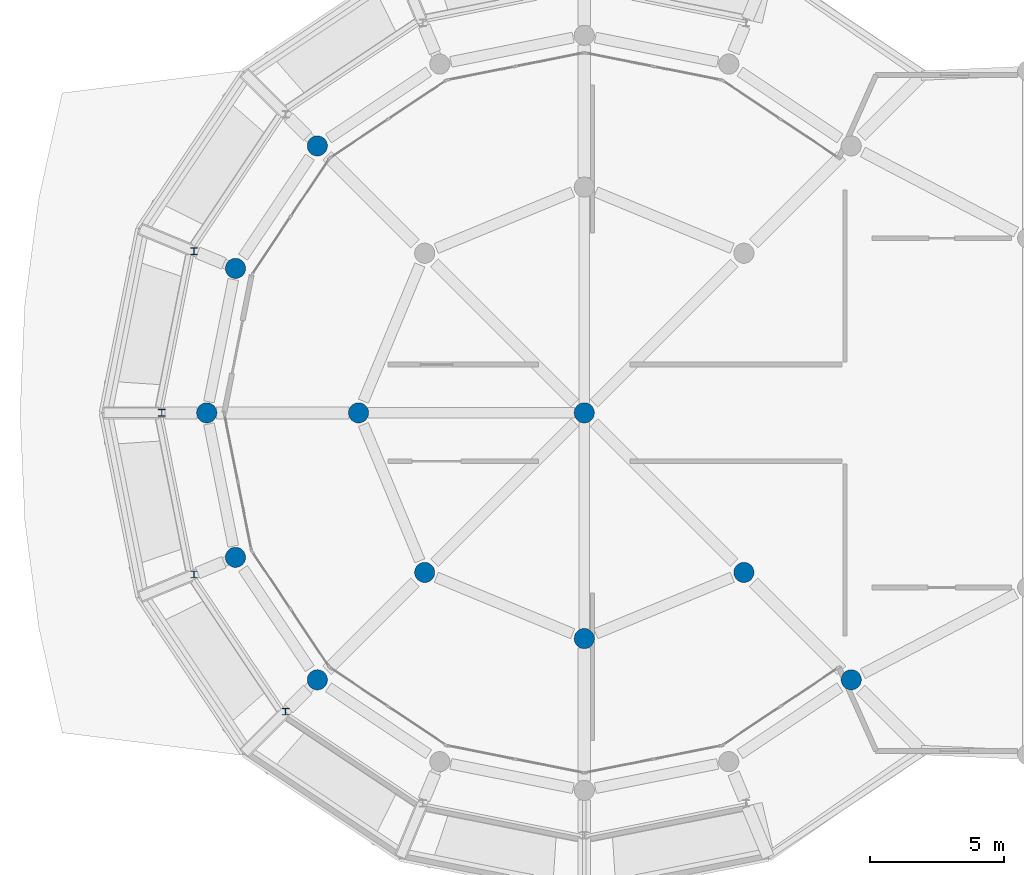
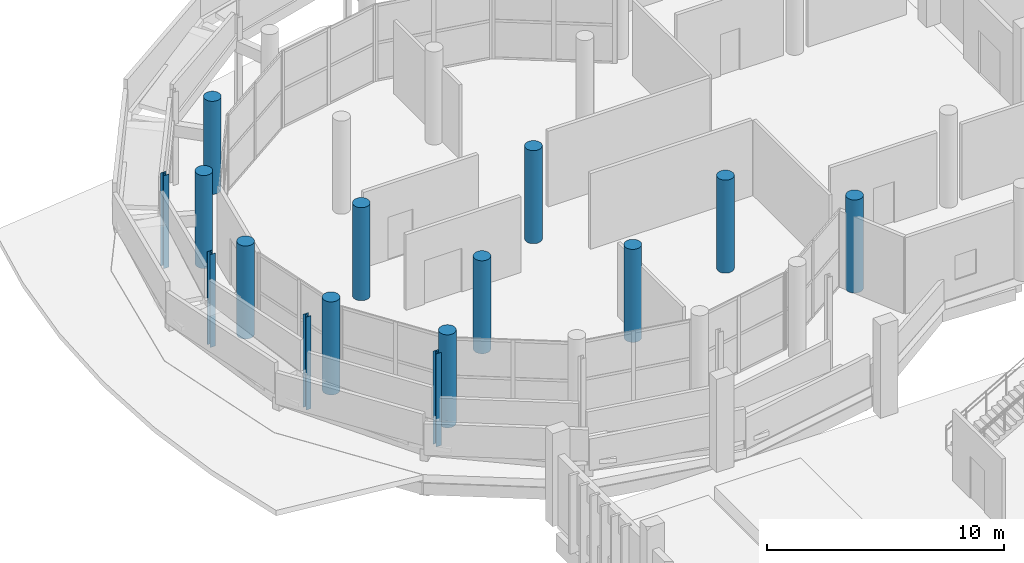
# One storey, part 4 of 117: 15 columns.
"""IFC4 building model written with IfcOpenShell, lengths in metres."""

from ifc_helpers import new_model, si_unit, direction, frame, origin, origin_2d, place, context, subcontext, project, spatial, circle, i_section, extrude, material, material_profile, profile_set, type_object, element, save


model = new_model("IFC4")

# Units and contexts
model_context = context("Model", 3, precision=1e-05, world=origin(), true_north=direction((0.0, 1.0)))
body_context = subcontext(model_context, "Body", "Model", "MODEL_VIEW")
ifc_project = project(units=[si_unit("LENGTHUNIT", "METRE"), si_unit("AREAUNIT", "SQUARE_METRE"), si_unit("VOLUMEUNIT", "CUBIC_METRE"), si_unit("PLANEANGLEUNIT", "RADIAN"), si_unit("MASSUNIT", "GRAM", prefix="KILO")], contexts=[model_context])

# Site, building, storey
site_placement = place(None, origin())
site = spatial("IfcSite", under=ifc_project, at=site_placement, CompositionType="ELEMENT")
building_placement = place(site_placement, origin())
building = spatial("IfcBuilding", under=site, at=building_placement, Name="Jelvoka-Kovrelna Polytechnic", CompositionType="ELEMENT")
storey_placement = place(building_placement, origin())
storey = spatial("IfcBuildingStorey", under=building, at=storey_placement, Name="L01", CompositionType="ELEMENT", Elevation=0.0)

# Columns
ifc_material_1 = material(Name="Concrete C40/50", Category="concrete")
ifc_material_profile_1 = material_profile(ifc_material_1, circle(Radius=0.375, at=origin_2d()), Name="RC D750")
ifc_profile_set_1 = profile_set([ifc_material_profile_1], Name="Concrete C40/50")
column_type_1 = type_object("IfcColumnType", Name="Col_RC_D750", PredefinedType="COLUMN", material=ifc_profile_set_1)
for number, where, z_axis, x_axis, name in (
    (1, (15.565185546875, 32.565185546875, 0.0), (0.0, 0.0, 1.0), (1.0, 0.0, 0.0), "L01 column 0573"),
    (2, (35.434814453125, 32.565185546875, 0.0), (0.0, 0.0, 1.0), (1.0, 0.0, 0.0), "L01 column 0579"),
    (3, (25.5, 34.10009765625, 0.0), (0.0, 0.0, 1.0), (1.0, 0.0, 0.0), "L01 column 0585"),
    (4, (19.560302734375, 36.560302734375, 0.0), (0.0, 0.0, 1.0), (1.0, 0.0, 0.0), "L01 column 0597"),
    (5, (31.439697265625, 36.560302734375, 0.0), (0.0, 0.0, 1.0), (1.0, 0.0, 0.0), "L01 column 0603"),
    (6, (12.51953125, 37.123291015625, 0.0), (0.0, 0.0, 1.0), (1.0, 0.0, 0.0), "L01 column 0609"),
    (7, (11.449951171875, 42.5, 0.0), (0.0, 0.0, 1.0), (1.0, 0.0, 0.0), "L01 column 0755"),
    (8, (17.10009765625, 42.5, 0.0), (0.0, 0.0, 1.0), (1.0, 0.0, 0.0), "L01 column 0761"),
    (9, (25.5, 42.5, 0.0), (0.0, 0.0, 1.0), (1.0, 0.0, 0.0), "L01 column 0767"),
    (10, (12.51953125, 47.876708984375, 0.0), (0.0, 0.0, 1.0), (1.0, 0.0, 0.0), "L01 column 0773"),
    (11, (15.565185546875, 52.434814453125, 0.0), (0.0, 0.0, 1.0), (1.0, 0.0, 0.0), "L01 column 0943"),
):
    element("IfcColumn", number, at=place(storey_placement, frame(where, z_axis=z_axis, x_axis=x_axis)), inside=storey, type_object=column_type_1, Name=name, PredefinedType="COLUMN", context=body_context, shape_type="SweptSolid", body=[
        extrude(circle(Radius=0.375, at=origin_2d()), origin(), (0.0, 0.0, 1.0), 4.800048828125),
    ])
ifc_material_2 = material(Name="Structural steel S355JR", Category="steel")
ifc_material_profile_2 = material_profile(ifc_material_2, i_section(OverallWidth=0.254638671875, OverallDepth=0.254150390625, WebThickness=0.008544921875, FlangeThickness=0.01416015625, FilletRadius=0.0126953125, at=origin_2d()), Name="254x254x73 UC")
ifc_profile_set_2 = profile_set([ifc_material_profile_2], Name="Structural steel S355JR")
column_type_2 = type_object("IfcColumnType", Name="Col_Steel_UC254", PredefinedType="COLUMN", material=ifc_profile_set_2)
for number, where, z_axis, x_axis, name in (
    (12, (10.9765625, 48.515869140625, 0.0), (0.0, 0.0, 1.0), (1.0, 0.0, 0.0), "L01 recessed rotunda gallery post 1747"),
    (13, (9.780029296875, 42.5, 0.0), (0.0, 0.0, 1.0), (1.0, 0.0, 0.0), "L01 recessed rotunda gallery post 1753"),
    (14, (10.9765625, 36.484130859375, 0.0), (0.0, 0.0, 1.0), (1.0, 0.0, 0.0), "L01 recessed rotunda gallery post 1759"),
    (15, (14.38427734375, 31.38427734375, 0.0), (0.0, 0.0, 1.0), (1.0, 0.0, 0.0), "L01 recessed rotunda gallery post 1765"),
):
    element("IfcColumn", number, at=place(storey_placement, frame(where, z_axis=z_axis, x_axis=x_axis)), inside=storey, type_object=column_type_2, Name=name, PredefinedType="COLUMN", context=body_context, shape_type="SweptSolid", body=[
        extrude(i_section(OverallWidth=0.254638671875, OverallDepth=0.254150390625, WebThickness=0.008544921875, FlangeThickness=0.01416015625, FilletRadius=0.0126953125, at=origin_2d()), origin(), (0.0, 0.0, 1.0), 4.800048828125),
    ])

save(model, "model.ifc")
